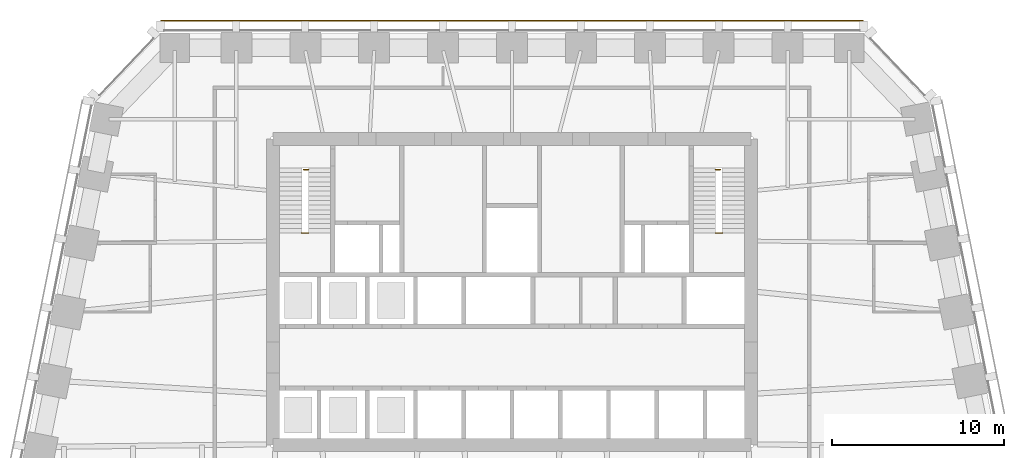
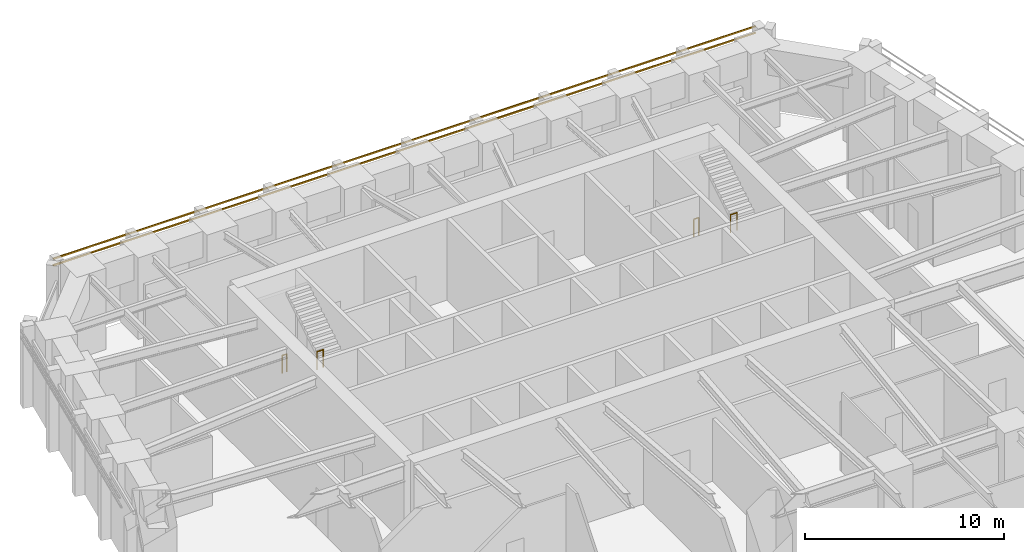
# One storey, part 10 of 11: 4 railings, 2 shading devices.
"""IFC4 building model written with IfcOpenShell, lengths in metres."""

from ifc_helpers import new_model, si_unit, direction, frame, origin, origin_2d, place, context, subcontext, project, spatial, rectangle, circle, extrude, material, material_profile, profile_set, type_object, element, save


model = new_model("IFC4")

# Units and contexts
model_context = context("Model", 3, precision=1e-05, world=origin(), true_north=direction((0.0, 1.0)))
body_context = subcontext(model_context, "Body", "Model", "MODEL_VIEW")
ifc_project = project(units=[si_unit("LENGTHUNIT", "METRE"), si_unit("AREAUNIT", "SQUARE_METRE"), si_unit("VOLUMEUNIT", "CUBIC_METRE"), si_unit("PLANEANGLEUNIT", "RADIAN"), si_unit("MASSUNIT", "GRAM", prefix="KILO")], contexts=[model_context])

# Site, building, storey
site_placement = place(None, origin())
site = spatial("IfcSite", under=ifc_project, at=site_placement, CompositionType="ELEMENT")
building_placement = place(site_placement, origin())
building = spatial("IfcBuilding", under=site, at=building_placement, Name="Isbrekke Arena Tower", CompositionType="ELEMENT")
storey_placement = place(building_placement, frame((0.0, 0.0, 98.0)))
storey = spatial("IfcBuildingStorey", under=building, at=storey_placement, Name="L21", CompositionType="ELEMENT", Elevation=98.0)

# Shading devices
ifc_material_1 = material(Name="Terracotta", Category="masonry")
ifc_material_profile = material_profile(ifc_material_1, rectangle(XDim=0.06005859375, YDim=0.06005859375, at=origin_2d()), Name="BAGUETTE 60X60")
ifc_profile_set = profile_set([ifc_material_profile], Name="Terracotta")
shading_device_type = type_object("IfcShadingDeviceType", Name="BG1 TERRACOTTA BAGUETTE 60 x 60", PredefinedType="USERDEFINED", material=ifc_profile_set)
for number, where, z_axis, x_axis, name in (
    (1, (20.39990234375, 30.7548828125, 4.280029296875), (-1.0, 0.0, 0.0), (0.0, -1.0, 0.0), "BG1 terracotta baguette N1 L21"),
    (2, (20.39990234375, 30.7548828125, 4.679931640625), (-1.0, 0.0, 0.0), (0.0, -1.0, 0.0), "BG1 terracotta baguette N2 L21"),
):
    element("IfcShadingDevice", number, at=place(storey_placement, frame(where, z_axis=z_axis, x_axis=x_axis)), inside=storey, type_object=shading_device_type, Name=name, ObjectType="TERRACOTTA BAGUETTE", PredefinedType="USERDEFINED", context=body_context, shape_type="SweptSolid", body=[
        extrude(rectangle(XDim=0.06005859375, YDim=0.06005859375, at=origin_2d()), origin(), (0.0, 0.0, 1.0), 40.7998046875),
    ])

# Railings
ifc_material_2 = material(Name="Steel stair guard, vertical bars, steel handrail", Category="steel")
railing_type = type_object("IfcRailingType", Name="GR3 STAIR WELL GUARD 1100", PredefinedType="GUARDRAIL", material=ifc_material_2)
railing_1_placement = place(storey_placement, frame((-12.10009765625, 22.10009765625, 0.0)))
element("IfcRailing", 3, at=railing_1_placement, inside=storey, type_object=railing_type, Name="GR3 stair well guard ST1 L21", PredefinedType="GUARDRAIL", context=body_context, shape_type="SweptSolid", body=[
    extrude(circle(Radius=0.02392578125, at=origin_2d()), frame((0.0, 0.0, 1.076171875), z_axis=(1.0, 0.0, 0.0), x_axis=(0.0, 1.0, 0.0)), (0.0, 0.0, 1.0), 0.275146484375),
    extrude(circle(Radius=0.02099609375, at=origin_2d()), origin(), (0.0, 0.0, 1.0), 1.052001953125),
    extrude(circle(Radius=0.02099609375, at=origin_2d()), frame((0.275146484375, 0.0, 0.0)), (0.0, 0.0, 1.0), 1.052001953125),
])
railing_2_placement = place(storey_placement, frame((-12.199951171875, 18.419921875, 2.5)))
element("IfcRailing", 4, at=railing_2_placement, inside=storey, type_object=railing_type, Name="GR3 stair well guard ST1 L21", PredefinedType="GUARDRAIL", context=body_context, shape_type="SweptSolid", body=[
    extrude(circle(Radius=0.02392578125, at=origin_2d()), frame((0.0, 0.0, 1.076171875), z_axis=(1.0, 0.0, 0.0), x_axis=(0.0, 1.0, 0.0)), (0.0, 0.0, 1.0), 0.375),
    extrude(circle(Radius=0.02099609375, at=origin_2d()), origin(), (0.0, 0.0, 1.0), 1.052001953125),
    extrude(circle(Radius=0.02099609375, at=origin_2d()), frame((0.375, 0.0, 0.0)), (0.0, 0.0, 1.0), 1.052001953125),
])
railing_3_placement = place(storey_placement, frame((11.824951171875, 22.10009765625, 0.0)))
element("IfcRailing", 5, at=railing_3_placement, inside=storey, type_object=railing_type, Name="GR3 stair well guard ST2 L21", PredefinedType="GUARDRAIL", context=body_context, shape_type="SweptSolid", body=[
    extrude(circle(Radius=0.02392578125, at=origin_2d()), frame((0.0, 0.0, 1.076171875), z_axis=(1.0, 0.0, 0.0), x_axis=(0.0, 1.0, 0.0)), (0.0, 0.0, 1.0), 0.275146484375),
    extrude(circle(Radius=0.02099609375, at=origin_2d()), origin(), (0.0, 0.0, 1.0), 1.052001953125),
    extrude(circle(Radius=0.02099609375, at=origin_2d()), frame((0.275146484375, 0.0, 0.0)), (0.0, 0.0, 1.0), 1.052001953125),
])
railing_4_placement = place(storey_placement, frame((11.824951171875, 18.419921875, 2.5)))
element("IfcRailing", 6, at=railing_4_placement, inside=storey, type_object=railing_type, Name="GR3 stair well guard ST2 L21", PredefinedType="GUARDRAIL", context=body_context, shape_type="SweptSolid", body=[
    extrude(circle(Radius=0.02392578125, at=origin_2d()), frame((0.0, 0.0, 1.076171875), z_axis=(1.0, 0.0, 0.0), x_axis=(0.0, 1.0, 0.0)), (0.0, 0.0, 1.0), 0.375),
    extrude(circle(Radius=0.02099609375, at=origin_2d()), origin(), (0.0, 0.0, 1.0), 1.052001953125),
    extrude(circle(Radius=0.02099609375, at=origin_2d()), frame((0.375, 0.0, 0.0)), (0.0, 0.0, 1.0), 1.052001953125),
])

save(model, "model.ifc")
